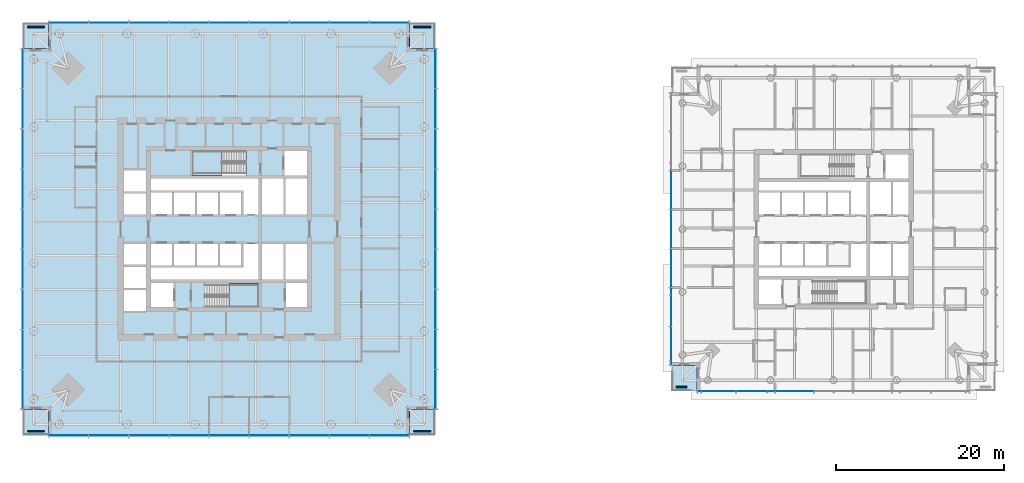
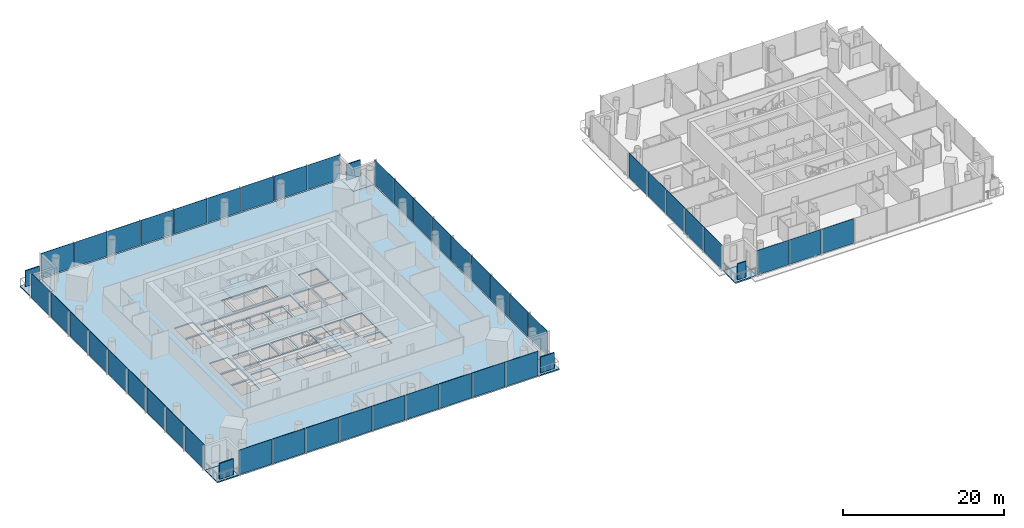
# One storey, part 7 of 21: 49 plates, 8 slabs, 8 elements without a shape of their own.
"""IFC4 building model written with IfcOpenShell, lengths in metres."""

from ifc_helpers import new_model, si_unit, direction, frame, origin, origin_2d, place, context, subcontext, project, spatial, polyline, rectangle, outline, extrude, material, layer, layer_set, type_object, element, aggregate, save


model = new_model("IFC4")

# Units and contexts
model_context = context("Model", 3, precision=1e-05, world=origin(), true_north=direction((0.0, 1.0)))
body_context = subcontext(model_context, "Body", "Model", "MODEL_VIEW")
ifc_project = project(units=[si_unit("LENGTHUNIT", "METRE"), si_unit("AREAUNIT", "SQUARE_METRE"), si_unit("VOLUMEUNIT", "CUBIC_METRE"), si_unit("PLANEANGLEUNIT", "RADIAN"), si_unit("MASSUNIT", "GRAM", prefix="KILO")], contexts=[model_context])

# Site, building, storey
site_placement = place(None, origin())
site = spatial("IfcSite", under=ifc_project, at=site_placement, CompositionType="ELEMENT")
building_placement = place(site_placement, origin())
building = spatial("IfcBuilding", under=site, at=building_placement, Name="Ostroluk Exchange", CompositionType="ELEMENT")
storey_placement = place(building_placement, frame((0.0, 0.0, 43.800048828125)))
storey = spatial("IfcBuildingStorey", under=building, at=storey_placement, Name="L10", CompositionType="ELEMENT", Elevation=43.800048828125)

# Curtain wall, plates
ifc_material_1 = material(Name="Laminated clear glass", Category="glass")
curtain_wall_type_1 = type_object("IfcCurtainWallType", Name="Hotel guest floor facade", PredefinedType="USERDEFINED", material=ifc_material_1)
curtain_wall_1_placement = place(storey_placement, origin())
curtain_wall_1 = element("IfcCurtainWall", 1, at=curtain_wall_1_placement, inside=storey, type_object=curtain_wall_type_1, Name="Hotel tower south facade L10", ObjectType="UNITISED CURTAIN WALL", PredefinedType="USERDEFINED")
ifc_material_2 = material(Name="Laminated clear glass", Category="glass")
ifc_layer_1 = layer(ifc_material_2, 0.0400390625)
ifc_layer_set_1 = layer_set([ifc_layer_1], Name="Acoustic laminated glazing 40")
plate_type_1 = type_object("IfcPlateType", Name="Acoustic laminated glazing 40", PredefinedType="CURTAIN_PANEL", material=ifc_layer_set_1)
plate_1_placement = place(storey_placement, frame((103.09130859375, 26.675048828125, 0.080078125), z_axis=(0.0, 0.0, 1.0), x_axis=(1.0, 0.0, 0.0)))
plate_1 = element("IfcPlate", 2, at=plate_1_placement, type_object=plate_type_1, Name="CW-H1 panel 1.1", PredefinedType="CURTAIN_PANEL", context=body_context, shape_type="SweptSolid", body=[
    extrude(rectangle(XDim=4.52294921875, YDim=0.0400390625, at=origin_2d()), origin(), (0.0, 0.0, 1.0), 3.719970703125),
])
plate_2_placement = place(storey_placement, frame((107.71435546875, 26.675048828125, 0.080078125), z_axis=(0.0, 0.0, 1.0), x_axis=(1.0, 0.0, 0.0)))
plate_2 = element("IfcPlate", 3, at=plate_2_placement, type_object=plate_type_1, Name="CW-H1 panel 2.1", PredefinedType="CURTAIN_PANEL", context=body_context, shape_type="SweptSolid", body=[
    extrude(rectangle(XDim=4.562744140625, YDim=0.0400390625, at=origin_2d()), origin(), (0.0, 0.0, 1.0), 3.719970703125),
])
plate_3_placement = place(storey_placement, frame((112.357177734375, 26.675048828125, 0.080078125), z_axis=(0.0, 0.0, 1.0), x_axis=(1.0, 0.0, 0.0)))
plate_3 = element("IfcPlate", 4, at=plate_3_placement, type_object=plate_type_1, Name="CW-H1 panel 3.1", PredefinedType="CURTAIN_PANEL", context=body_context, shape_type="SweptSolid", body=[
    extrude(rectangle(XDim=4.562744140625, YDim=0.0400390625, at=origin_2d()), origin(), (0.0, 0.0, 1.0), 3.719970703125),
])
aggregate(curtain_wall_1, [plate_1, plate_2, plate_3])

curtain_wall_2_placement = place(storey_placement, origin())
curtain_wall_2 = element("IfcCurtainWall", 5, at=curtain_wall_2_placement, inside=storey, type_object=curtain_wall_type_1, Name="Hotel tower west facade L10", ObjectType="UNITISED CURTAIN WALL", PredefinedType="USERDEFINED")
plate_4_placement = place(storey_placement, frame((97.675048828125, 50.642822265625, 0.080078125), z_axis=(0.0, 0.0, 1.0), x_axis=(0.0, -1.0, 0.0)))
plate_4 = element("IfcPlate", 6, at=plate_4_placement, type_object=plate_type_1, Name="CW-H1 panel 3.1", PredefinedType="CURTAIN_PANEL", context=body_context, shape_type="SweptSolid", body=[
    extrude(rectangle(XDim=4.562744140625, YDim=0.0400390625, at=origin_2d()), origin(), (0.0, 0.0, 1.0), 3.719970703125),
])
plate_5_placement = place(storey_placement, frame((97.675048828125, 46.0, 0.080078125), z_axis=(0.0, 0.0, 1.0), x_axis=(0.0, -1.0, 0.0)))
plate_5 = element("IfcPlate", 7, at=plate_5_placement, type_object=plate_type_1, Name="CW-H1 panel 4.1", PredefinedType="CURTAIN_PANEL", context=body_context, shape_type="SweptSolid", body=[
    extrude(rectangle(XDim=4.562744140625, YDim=0.0400390625, at=origin_2d()), origin(), (0.0, 0.0, 1.0), 3.719970703125),
])
plate_6_placement = place(storey_placement, frame((97.675048828125, 41.357177734375, 0.080078125), z_axis=(0.0, 0.0, 1.0), x_axis=(0.0, -1.0, 0.0)))
plate_6 = element("IfcPlate", 8, at=plate_6_placement, type_object=plate_type_1, Name="CW-H1 panel 5.1", PredefinedType="CURTAIN_PANEL", context=body_context, shape_type="SweptSolid", body=[
    extrude(rectangle(XDim=4.562744140625, YDim=0.0400390625, at=origin_2d()), origin(), (0.0, 0.0, 1.0), 3.719970703125),
])
plate_7_placement = place(storey_placement, frame((97.675048828125, 36.71435546875, 0.080078125), z_axis=(0.0, 0.0, 1.0), x_axis=(0.0, -1.0, 0.0)))
plate_7 = element("IfcPlate", 9, at=plate_7_placement, type_object=plate_type_1, Name="CW-H1 panel 6.1", PredefinedType="CURTAIN_PANEL", context=body_context, shape_type="SweptSolid", body=[
    extrude(rectangle(XDim=4.562744140625, YDim=0.0400390625, at=origin_2d()), origin(), (0.0, 0.0, 1.0), 3.719970703125),
])
plate_8_placement = place(storey_placement, frame((97.675048828125, 32.09130859375, 0.080078125), z_axis=(0.0, 0.0, 1.0), x_axis=(0.0, -1.0, 0.0)))
plate_8 = element("IfcPlate", 10, at=plate_8_placement, type_object=plate_type_1, Name="CW-H1 panel 7.1", PredefinedType="CURTAIN_PANEL", context=body_context, shape_type="SweptSolid", body=[
    extrude(rectangle(XDim=4.52294921875, YDim=0.0400390625, at=origin_2d()), origin(), (0.0, 0.0, 1.0), 3.719970703125),
])
aggregate(curtain_wall_2, [plate_4, plate_5, plate_6, plate_7, plate_8])

# Slabs
ifc_material_3 = material(Name="Concrete C35/45", Category="concrete")
ifc_layer_2 = layer(ifc_material_3, 0.179931640625)
ifc_layer_set_2 = layer_set([ifc_layer_2], Name="Balcony slab 180")
slab_type_1 = type_object("IfcSlabType", Name="Balcony slab 180", PredefinedType="USERDEFINED", material=ifc_layer_set_2)
slab_1_placement = place(storey_placement, frame((0.0, 0.0, -0.179931640625)))
element("IfcSlab", 11, at=slab_1_placement, inside=storey, type_object=slab_type_1, Name="Office tower SE corner balcony L10", ObjectType="BALCONY", PredefinedType="USERDEFINED", context=body_context, shape_type="SweptSolid", body=[
    extrude(outline(polyline([(66.5, 21.5), (69.5, 21.5), (69.5, 24.5), (66.5, 24.5), (66.5, 21.5)])), origin(), (0.0, 0.0, 1.0), 0.179931640625),
])
slab_2_placement = place(storey_placement, frame((0.0, 0.0, -0.179931640625)))
element("IfcSlab", 12, at=slab_2_placement, inside=storey, type_object=slab_type_1, Name="Office tower NE corner balcony L10", ObjectType="BALCONY", PredefinedType="USERDEFINED", context=body_context, shape_type="SweptSolid", body=[
    extrude(outline(polyline([(66.5, 67.5), (69.5, 67.5), (69.5, 70.5), (66.5, 70.5), (66.5, 67.5)])), origin(), (0.0, 0.0, 1.0), 0.179931640625),
])
slab_3_placement = place(storey_placement, frame((0.0, 0.0, -0.179931640625)))
element("IfcSlab", 13, at=slab_3_placement, inside=storey, type_object=slab_type_1, Name="Office tower NW corner balcony L10", ObjectType="BALCONY", PredefinedType="USERDEFINED", context=body_context, shape_type="SweptSolid", body=[
    extrude(outline(polyline([(20.5, 67.5), (23.5, 67.5), (23.5, 70.5), (20.5, 70.5), (20.5, 67.5)])), origin(), (0.0, 0.0, 1.0), 0.179931640625),
])
slab_4_placement = place(storey_placement, frame((0.0, 0.0, -0.179931640625)))
element("IfcSlab", 14, at=slab_4_placement, inside=storey, type_object=slab_type_1, Name="Office tower SW corner balcony L10", ObjectType="BALCONY", PredefinedType="USERDEFINED", context=body_context, shape_type="SweptSolid", body=[
    extrude(outline(polyline([(20.5, 21.5), (23.5, 21.5), (23.5, 24.5), (20.5, 24.5), (20.5, 21.5)])), origin(), (0.0, 0.0, 1.0), 0.179931640625),
])
ifc_material_4 = material(Name="Concrete C35/45", Category="concrete")
ifc_layer_3 = layer(ifc_material_4, 0.199951171875)
ifc_layer_set_3 = layer_set([ifc_layer_3], Name="Balcony slab 200")
slab_type_2 = type_object("IfcSlabType", Name="Balcony slab 200", PredefinedType="USERDEFINED", material=ifc_layer_set_3)
slab_5_placement = place(storey_placement, frame((0.0, 0.0, -0.199951171875)))
element("IfcSlab", 15, at=slab_5_placement, inside=storey, type_object=slab_type_2, Name="Hotel tower SW corner balcony L10", ObjectType="BALCONY", PredefinedType="USERDEFINED", context=body_context, shape_type="SweptSolid", body=[
    extrude(outline(polyline([(97.75, 26.75), (100.75, 26.75), (100.75, 29.75), (97.75, 29.75), (97.75, 26.75)])), origin(), (0.0, 0.0, 1.0), 0.199951171875),
])

# Plates
ifc_material_5 = material(Name="Steel S355 trellis with planting", Category="steel")
ifc_layer_4 = layer(ifc_material_5, 0.14990234375)
ifc_layer_set_4 = layer_set([ifc_layer_4], Name="Planted screen 150")
plate_type_2 = type_object("IfcPlateType", Name="Planted screen 150", PredefinedType="USERDEFINED", material=ifc_layer_set_4)
for number, where, z_axis, x_axis, name in (
    (16, (68.0, 21.925048828125, 0.0), (0.0, 0.0, 1.0), (1.0, 0.0, 0.0), "Office tower SE planted screen L10"),
    (17, (68.0, 70.074951171875, 0.0), (0.0, 0.0, 1.0), (1.0, 0.0, 0.0), "Office tower NE planted screen L10"),
    (18, (22.0, 70.074951171875, 0.0), (0.0, 0.0, 1.0), (1.0, 0.0, 0.0), "Office tower NW planted screen L10"),
    (19, (22.0, 21.925048828125, 0.0), (0.0, 0.0, 1.0), (1.0, 0.0, 0.0), "Office tower SW planted screen L10"),
):
    element("IfcPlate", number, at=place(storey_placement, frame(where, z_axis=z_axis, x_axis=x_axis)), inside=storey, type_object=plate_type_2, Name=name, ObjectType="PLANTED SCREEN", PredefinedType="USERDEFINED", context=body_context, shape_type="SweptSolid", body=[
        extrude(rectangle(XDim=2.0, YDim=0.14990234375, at=origin_2d()), origin(), (0.0, 0.0, 1.0), 2.39990234375),
    ])
plate_9_placement = place(storey_placement, frame((98.875, 27.175048828125, 0.0), z_axis=(0.0, 0.0, 1.0), x_axis=(1.0, 0.0, 0.0)))
element("IfcPlate", 20, at=plate_9_placement, inside=storey, type_object=plate_type_2, Name="Hotel tower SW planted screen L10", ObjectType="PLANTED SCREEN", PredefinedType="USERDEFINED", context=body_context, shape_type="SweptSolid", body=[
    extrude(rectangle(XDim=1.25, YDim=0.14990234375, at=origin_2d()), origin(), (0.0, 0.0, 1.0), 2.39990234375),
])

# Stair, slab
ifc_material_6 = material(Name="Concrete C30/37", Category="concrete")
stair_type = type_object("IfcStairType", Name="Exit stair half turn 3800", PredefinedType="HALF_TURN_STAIR", material=ifc_material_6)
stair_1_placement = place(storey_placement, origin())
stair_1 = element("IfcStair", 21, at=stair_1_placement, inside=storey, type_object=stair_type, Name="Stair T1-S1 L10", PredefinedType="HALF_TURN_STAIR")
ifc_material_7 = material(Name="Concrete C30/37", Category="concrete")
ifc_layer_5 = layer(ifc_material_7, 0.199951171875)
ifc_layer_set_5 = layer_set([ifc_layer_5], Name="Stair landing 200")
slab_type_3 = type_object("IfcSlabType", Name="Stair landing 200", PredefinedType="LANDING", material=ifc_layer_set_5)
slab_6_placement = place(storey_placement, frame((0.0, 0.0, 1.699951171875)))
slab_6 = element("IfcSlab", 22, at=slab_6_placement, type_object=slab_type_3, Name="T1-S1 landing 1", PredefinedType="LANDING", context=body_context, shape_type="SweptSolid", body=[
    extrude(outline(polyline([(45.0, 36.699951171875), (45.0, 39.60009765625), (48.530029296875, 39.60009765625), (48.530029296875, 36.699951171875), (45.0, 36.699951171875)])), origin(), (0.0, 0.0, 1.0), 0.199951171875),
])
aggregate(stair_1, [slab_6])

stair_2_placement = place(storey_placement, origin())
stair_2 = element("IfcStair", 23, at=stair_2_placement, inside=storey, type_object=stair_type, Name="Stair T1-S2 L10", PredefinedType="HALF_TURN_STAIR")
slab_7_placement = place(storey_placement, frame((0.0, 0.0, 1.699951171875)))
slab_7 = element("IfcSlab", 24, at=slab_7_placement, type_object=slab_type_3, Name="T1-S2 landing 1", PredefinedType="LANDING", context=body_context, shape_type="SweptSolid", body=[
    extrude(outline(polyline([(44.1298828125, 52.39990234375), (44.1298828125, 55.300048828125), (40.60009765625, 55.300048828125), (40.60009765625, 52.39990234375), (44.1298828125, 52.39990234375)])), origin(), (0.0, 0.0, 1.0), 0.199951171875),
])
aggregate(stair_2, [slab_7])

# Slab
ifc_material_8 = material(Name="Concrete C35/45", Category="concrete")
ifc_layer_6 = layer(ifc_material_8, 0.179931640625)
ifc_layer_set_6 = layer_set([ifc_layer_6], Name="Tower floor slab 180 composite")
slab_type_4 = type_object("IfcSlabType", Name="Tower floor slab 180 composite", PredefinedType="FLOOR", material=ifc_layer_set_6)
slab_8_placement = place(storey_placement, frame((0.0, 0.0, -0.179931640625)))
element("IfcSlab", 25, at=slab_8_placement, inside=storey, type_object=slab_type_4, Name="Office tower floor slab L10", PredefinedType="FLOOR", context=body_context, shape_type="SweptSolid", body=[
    extrude(outline(polyline([(23.5, 21.5), (66.5, 21.5), (66.5, 24.5), (69.5, 24.5), (69.5, 67.5), (66.5, 67.5), (66.5, 70.5), (23.5, 70.5), (23.5, 67.5), (20.5, 67.5), (20.5, 24.5), (23.5, 24.5), (23.5, 21.5)]), holes=[polyline([(35.699951171875, 36.699951171875), (38.39990234375, 36.699951171875), (38.39990234375, 39.60009765625), (35.699951171875, 39.60009765625), (35.699951171875, 36.699951171875)]), polyline([(42.110107421875, 36.699951171875), (48.530029296875, 36.699951171875), (48.530029296875, 39.60009765625), (42.110107421875, 39.60009765625), (42.110107421875, 36.699951171875)]), polyline([(51.800048828125, 36.699951171875), (54.300048828125, 36.699951171875), (54.300048828125, 39.60009765625), (51.800048828125, 39.60009765625), (51.800048828125, 36.699951171875)]), polyline([(40.60009765625, 52.39990234375), (47.02001953125, 52.39990234375), (47.02001953125, 55.300048828125), (40.60009765625, 55.300048828125), (40.60009765625, 52.39990234375)]), polyline([(51.60009765625, 52.39990234375), (54.300048828125, 52.39990234375), (54.300048828125, 55.300048828125), (51.60009765625, 55.300048828125), (51.60009765625, 52.39990234375)]), polyline([(35.699951171875, 47.75), (38.199951171875, 47.75), (38.199951171875, 50.35009765625), (35.699951171875, 50.35009765625), (35.699951171875, 47.75)]), polyline([(38.449951171875, 47.75), (40.949951171875, 47.75), (40.949951171875, 50.35009765625), (38.449951171875, 50.35009765625), (38.449951171875, 47.75)]), polyline([(41.199951171875, 47.75), (43.699951171875, 47.75), (43.699951171875, 50.35009765625), (41.199951171875, 50.35009765625), (41.199951171875, 47.75)]), polyline([(43.949951171875, 47.75), (46.449951171875, 47.75), (46.449951171875, 50.35009765625), (43.949951171875, 50.35009765625), (43.949951171875, 47.75)]), polyline([(35.699951171875, 41.64990234375), (38.199951171875, 41.64990234375), (38.199951171875, 44.25), (35.699951171875, 44.25), (35.699951171875, 41.64990234375)]), polyline([(38.449951171875, 41.64990234375), (40.949951171875, 41.64990234375), (40.949951171875, 44.25), (38.449951171875, 44.25), (38.449951171875, 41.64990234375)]), polyline([(41.199951171875, 41.64990234375), (43.699951171875, 41.64990234375), (43.699951171875, 44.25), (41.199951171875, 44.25), (41.199951171875, 41.64990234375)]), polyline([(43.949951171875, 41.64990234375), (46.449951171875, 41.64990234375), (46.449951171875, 44.25), (43.949951171875, 44.25), (43.949951171875, 41.64990234375)]), polyline([(48.929931640625, 47.75), (51.489990234375, 47.75), (51.489990234375, 52.0), (48.929931640625, 52.0), (48.929931640625, 47.75)]), polyline([(51.739990234375, 47.75), (54.300048828125, 47.75), (54.300048828125, 52.0), (51.739990234375, 52.0), (51.739990234375, 47.75)]), polyline([(48.929931640625, 40.0), (51.489990234375, 40.0), (51.489990234375, 44.25), (48.929931640625, 44.25), (48.929931640625, 40.0)]), polyline([(51.739990234375, 40.0), (54.300048828125, 40.0), (54.300048828125, 44.25), (51.739990234375, 44.25), (51.739990234375, 40.0)]), polyline([(48.530029296875, 52.0), (48.530029296875, 47.75), (46.699951171875, 47.75), (46.699951171875, 50.60009765625), (35.699951171875, 50.60009765625), (35.699951171875, 52.0), (48.530029296875, 52.0)]), polyline([(35.699951171875, 40.0), (35.699951171875, 41.39990234375), (46.699951171875, 41.39990234375), (46.699951171875, 44.25), (48.530029296875, 44.25), (48.530029296875, 40.0), (35.699951171875, 40.0)]), polyline([(32.5, 36.25), (35.10009765625, 36.25), (35.10009765625, 38.75), (32.5, 38.75), (32.5, 36.25)]), polyline([(32.5, 39.0), (35.10009765625, 39.0), (35.10009765625, 41.5), (32.5, 41.5), (32.5, 39.0)]), polyline([(32.5, 41.75), (35.10009765625, 41.75), (35.10009765625, 44.25), (32.5, 44.25), (32.5, 41.75)]), polyline([(32.5, 47.75), (35.10009765625, 47.75), (35.10009765625, 50.25), (32.5, 50.25), (32.5, 47.75)]), polyline([(32.5, 50.5), (35.10009765625, 50.5), (35.10009765625, 53.0), (32.5, 53.0), (32.5, 50.5)])]), origin(), (0.0, 0.0, 1.0), 0.179931640625),
])

# Curtain wall, plates
ifc_material_9 = material(Name="Laminated clear glass", Category="glass")
curtain_wall_type_2 = type_object("IfcCurtainWallType", Name="Office tower facade", PredefinedType="USERDEFINED", material=ifc_material_9)
curtain_wall_3_placement = place(storey_placement, origin())
curtain_wall_3 = element("IfcCurtainWall", 26, at=curtain_wall_3_placement, inside=storey, type_object=curtain_wall_type_2, Name="Office tower south facade L10", ObjectType="UNITISED CURTAIN WALL", PredefinedType="USERDEFINED")
ifc_material_10 = material(Name="Laminated clear glass", Category="glass")
ifc_layer_7 = layer(ifc_material_10, 0.0439453125)
ifc_layer_set_7 = layer_set([ifc_layer_7], Name="Triple laminated clear glazing 44")
plate_type_3 = type_object("IfcPlateType", Name="Triple laminated clear glazing 44", PredefinedType="CURTAIN_PANEL", material=ifc_layer_set_7)
plate_10_placement = place(storey_placement, frame((25.908935546875, 21.425048828125, 0.080078125), z_axis=(0.0, 0.0, 1.0), x_axis=(1.0, 0.0, 0.0)))
plate_10 = element("IfcPlate", 27, at=plate_10_placement, type_object=plate_type_3, Name="CW-O1 panel 1.1", PredefinedType="CURTAIN_PANEL", context=body_context, shape_type="SweptSolid", body=[
    extrude(rectangle(XDim=4.65771484375, YDim=0.0439453125, at=origin_2d()), origin(), (0.0, 0.0, 1.0), 3.719970703125),
])
plate_11_placement = place(storey_placement, frame((30.666748046875, 21.425048828125, 0.080078125), z_axis=(0.0, 0.0, 1.0), x_axis=(1.0, 0.0, 0.0)))
plate_11 = element("IfcPlate", 28, at=plate_11_placement, type_object=plate_type_3, Name="CW-O1 panel 2.1", PredefinedType="CURTAIN_PANEL", context=body_context, shape_type="SweptSolid", body=[
    extrude(rectangle(XDim=4.69775390625, YDim=0.0439453125, at=origin_2d()), origin(), (0.0, 0.0, 1.0), 3.719970703125),
])
plate_12_placement = place(storey_placement, frame((35.4443359375, 21.425048828125, 0.080078125), z_axis=(0.0, 0.0, 1.0), x_axis=(1.0, 0.0, 0.0)))
plate_12 = element("IfcPlate", 29, at=plate_12_placement, type_object=plate_type_3, Name="CW-O1 panel 3.1", PredefinedType="CURTAIN_PANEL", context=body_context, shape_type="SweptSolid", body=[
    extrude(rectangle(XDim=4.69775390625, YDim=0.0439453125, at=origin_2d()), origin(), (0.0, 0.0, 1.0), 3.719970703125),
])
plate_13_placement = place(storey_placement, frame((40.22216796875, 21.425048828125, 0.080078125), z_axis=(0.0, 0.0, 1.0), x_axis=(1.0, 0.0, 0.0)))
plate_13 = element("IfcPlate", 30, at=plate_13_placement, type_object=plate_type_3, Name="CW-O1 panel 4.1", PredefinedType="CURTAIN_PANEL", context=body_context, shape_type="SweptSolid", body=[
    extrude(rectangle(XDim=4.69775390625, YDim=0.0439453125, at=origin_2d()), origin(), (0.0, 0.0, 1.0), 3.719970703125),
])
plate_14_placement = place(storey_placement, frame((45.0, 21.425048828125, 0.080078125), z_axis=(0.0, 0.0, 1.0), x_axis=(1.0, 0.0, 0.0)))
plate_14 = element("IfcPlate", 31, at=plate_14_placement, type_object=plate_type_3, Name="CW-O1 panel 5.1", PredefinedType="CURTAIN_PANEL", context=body_context, shape_type="SweptSolid", body=[
    extrude(rectangle(XDim=4.69775390625, YDim=0.0439453125, at=origin_2d()), origin(), (0.0, 0.0, 1.0), 3.719970703125),
])
plate_15_placement = place(storey_placement, frame((49.77783203125, 21.425048828125, 0.080078125), z_axis=(0.0, 0.0, 1.0), x_axis=(1.0, 0.0, 0.0)))
plate_15 = element("IfcPlate", 32, at=plate_15_placement, type_object=plate_type_3, Name="CW-O1 panel 6.1", PredefinedType="CURTAIN_PANEL", context=body_context, shape_type="SweptSolid", body=[
    extrude(rectangle(XDim=4.69775390625, YDim=0.0439453125, at=origin_2d()), origin(), (0.0, 0.0, 1.0), 3.719970703125),
])
plate_16_placement = place(storey_placement, frame((54.5556640625, 21.425048828125, 0.080078125), z_axis=(0.0, 0.0, 1.0), x_axis=(1.0, 0.0, 0.0)))
plate_16 = element("IfcPlate", 33, at=plate_16_placement, type_object=plate_type_3, Name="CW-O1 panel 7.1", PredefinedType="CURTAIN_PANEL", context=body_context, shape_type="SweptSolid", body=[
    extrude(rectangle(XDim=4.69775390625, YDim=0.0439453125, at=origin_2d()), origin(), (0.0, 0.0, 1.0), 3.719970703125),
])
plate_17_placement = place(storey_placement, frame((59.333251953125, 21.425048828125, 0.080078125), z_axis=(0.0, 0.0, 1.0), x_axis=(1.0, 0.0, 0.0)))
plate_17 = element("IfcPlate", 34, at=plate_17_placement, type_object=plate_type_3, Name="CW-O1 panel 8.1", PredefinedType="CURTAIN_PANEL", context=body_context, shape_type="SweptSolid", body=[
    extrude(rectangle(XDim=4.69775390625, YDim=0.0439453125, at=origin_2d()), origin(), (0.0, 0.0, 1.0), 3.719970703125),
])
plate_18_placement = place(storey_placement, frame((64.091064453125, 21.425048828125, 0.080078125), z_axis=(0.0, 0.0, 1.0), x_axis=(1.0, 0.0, 0.0)))
plate_18 = element("IfcPlate", 35, at=plate_18_placement, type_object=plate_type_3, Name="CW-O1 panel 9.1", PredefinedType="CURTAIN_PANEL", context=body_context, shape_type="SweptSolid", body=[
    extrude(rectangle(XDim=4.65771484375, YDim=0.0439453125, at=origin_2d()), origin(), (0.0, 0.0, 1.0), 3.719970703125),
])
aggregate(curtain_wall_3, [plate_10, plate_11, plate_12, plate_13, plate_14, plate_15, plate_16, plate_17, plate_18])

curtain_wall_4_placement = place(storey_placement, origin())
curtain_wall_4 = element("IfcCurtainWall", 36, at=curtain_wall_4_placement, inside=storey, type_object=curtain_wall_type_2, Name="Office tower east facade L10", ObjectType="UNITISED CURTAIN WALL", PredefinedType="USERDEFINED")
plate_19_placement = place(storey_placement, frame((69.574951171875, 26.908935546875, 0.080078125), z_axis=(0.0, 0.0, 1.0), x_axis=(0.0, 1.0, 0.0)))
plate_19 = element("IfcPlate", 37, at=plate_19_placement, type_object=plate_type_3, Name="CW-O1 panel 1.1", PredefinedType="CURTAIN_PANEL", context=body_context, shape_type="SweptSolid", body=[
    extrude(rectangle(XDim=4.65771484375, YDim=0.0439453125, at=origin_2d()), origin(), (0.0, 0.0, 1.0), 3.719970703125),
])
plate_20_placement = place(storey_placement, frame((69.574951171875, 31.666748046875, 0.080078125), z_axis=(0.0, 0.0, 1.0), x_axis=(0.0, 1.0, 0.0)))
plate_20 = element("IfcPlate", 38, at=plate_20_placement, type_object=plate_type_3, Name="CW-O1 panel 2.1", PredefinedType="CURTAIN_PANEL", context=body_context, shape_type="SweptSolid", body=[
    extrude(rectangle(XDim=4.69775390625, YDim=0.0439453125, at=origin_2d()), origin(), (0.0, 0.0, 1.0), 3.719970703125),
])
plate_21_placement = place(storey_placement, frame((69.574951171875, 36.4443359375, 0.080078125), z_axis=(0.0, 0.0, 1.0), x_axis=(0.0, 1.0, 0.0)))
plate_21 = element("IfcPlate", 39, at=plate_21_placement, type_object=plate_type_3, Name="CW-O1 panel 3.1", PredefinedType="CURTAIN_PANEL", context=body_context, shape_type="SweptSolid", body=[
    extrude(rectangle(XDim=4.69775390625, YDim=0.0439453125, at=origin_2d()), origin(), (0.0, 0.0, 1.0), 3.719970703125),
])
plate_22_placement = place(storey_placement, frame((69.574951171875, 41.22216796875, 0.080078125), z_axis=(0.0, 0.0, 1.0), x_axis=(0.0, 1.0, 0.0)))
plate_22 = element("IfcPlate", 40, at=plate_22_placement, type_object=plate_type_3, Name="CW-O1 panel 4.1", PredefinedType="CURTAIN_PANEL", context=body_context, shape_type="SweptSolid", body=[
    extrude(rectangle(XDim=4.69775390625, YDim=0.0439453125, at=origin_2d()), origin(), (0.0, 0.0, 1.0), 3.719970703125),
])
plate_23_placement = place(storey_placement, frame((69.574951171875, 46.0, 0.080078125), z_axis=(0.0, 0.0, 1.0), x_axis=(0.0, 1.0, 0.0)))
plate_23 = element("IfcPlate", 41, at=plate_23_placement, type_object=plate_type_3, Name="CW-O1 panel 5.1", PredefinedType="CURTAIN_PANEL", context=body_context, shape_type="SweptSolid", body=[
    extrude(rectangle(XDim=4.69775390625, YDim=0.0439453125, at=origin_2d()), origin(), (0.0, 0.0, 1.0), 3.719970703125),
])
plate_24_placement = place(storey_placement, frame((69.574951171875, 50.77783203125, 0.080078125), z_axis=(0.0, 0.0, 1.0), x_axis=(0.0, 1.0, 0.0)))
plate_24 = element("IfcPlate", 42, at=plate_24_placement, type_object=plate_type_3, Name="CW-O1 panel 6.1", PredefinedType="CURTAIN_PANEL", context=body_context, shape_type="SweptSolid", body=[
    extrude(rectangle(XDim=4.69775390625, YDim=0.0439453125, at=origin_2d()), origin(), (0.0, 0.0, 1.0), 3.719970703125),
])
plate_25_placement = place(storey_placement, frame((69.574951171875, 55.5556640625, 0.080078125), z_axis=(0.0, 0.0, 1.0), x_axis=(0.0, 1.0, 0.0)))
plate_25 = element("IfcPlate", 43, at=plate_25_placement, type_object=plate_type_3, Name="CW-O1 panel 7.1", PredefinedType="CURTAIN_PANEL", context=body_context, shape_type="SweptSolid", body=[
    extrude(rectangle(XDim=4.69775390625, YDim=0.0439453125, at=origin_2d()), origin(), (0.0, 0.0, 1.0), 3.719970703125),
])
plate_26_placement = place(storey_placement, frame((69.574951171875, 60.333251953125, 0.080078125), z_axis=(0.0, 0.0, 1.0), x_axis=(0.0, 1.0, 0.0)))
plate_26 = element("IfcPlate", 44, at=plate_26_placement, type_object=plate_type_3, Name="CW-O1 panel 8.1", PredefinedType="CURTAIN_PANEL", context=body_context, shape_type="SweptSolid", body=[
    extrude(rectangle(XDim=4.69775390625, YDim=0.0439453125, at=origin_2d()), origin(), (0.0, 0.0, 1.0), 3.719970703125),
])
plate_27_placement = place(storey_placement, frame((69.574951171875, 65.091064453125, 0.080078125), z_axis=(0.0, 0.0, 1.0), x_axis=(0.0, 1.0, 0.0)))
plate_27 = element("IfcPlate", 45, at=plate_27_placement, type_object=plate_type_3, Name="CW-O1 panel 9.1", PredefinedType="CURTAIN_PANEL", context=body_context, shape_type="SweptSolid", body=[
    extrude(rectangle(XDim=4.65771484375, YDim=0.0439453125, at=origin_2d()), origin(), (0.0, 0.0, 1.0), 3.719970703125),
])
aggregate(curtain_wall_4, [plate_19, plate_20, plate_21, plate_22, plate_23, plate_24, plate_25, plate_26, plate_27])

curtain_wall_5_placement = place(storey_placement, origin())
curtain_wall_5 = element("IfcCurtainWall", 46, at=curtain_wall_5_placement, inside=storey, type_object=curtain_wall_type_2, Name="Office tower north facade L10", ObjectType="UNITISED CURTAIN WALL", PredefinedType="USERDEFINED")
plate_28_placement = place(storey_placement, frame((64.091064453125, 70.574951171875, 0.080078125), z_axis=(0.0, 0.0, 1.0), x_axis=(-1.0, 0.0, 0.0)))
plate_28 = element("IfcPlate", 47, at=plate_28_placement, type_object=plate_type_3, Name="CW-O1 panel 1.1", PredefinedType="CURTAIN_PANEL", context=body_context, shape_type="SweptSolid", body=[
    extrude(rectangle(XDim=4.65771484375, YDim=0.0439453125, at=origin_2d()), origin(), (0.0, 0.0, 1.0), 3.719970703125),
])
plate_29_placement = place(storey_placement, frame((59.333251953125, 70.574951171875, 0.080078125), z_axis=(0.0, 0.0, 1.0), x_axis=(-1.0, 0.0, 0.0)))
plate_29 = element("IfcPlate", 48, at=plate_29_placement, type_object=plate_type_3, Name="CW-O1 panel 2.1", PredefinedType="CURTAIN_PANEL", context=body_context, shape_type="SweptSolid", body=[
    extrude(rectangle(XDim=4.69775390625, YDim=0.0439453125, at=origin_2d()), origin(), (0.0, 0.0, 1.0), 3.719970703125),
])
plate_30_placement = place(storey_placement, frame((54.5556640625, 70.574951171875, 0.080078125), z_axis=(0.0, 0.0, 1.0), x_axis=(-1.0, 0.0, 0.0)))
plate_30 = element("IfcPlate", 49, at=plate_30_placement, type_object=plate_type_3, Name="CW-O1 panel 3.1", PredefinedType="CURTAIN_PANEL", context=body_context, shape_type="SweptSolid", body=[
    extrude(rectangle(XDim=4.69775390625, YDim=0.0439453125, at=origin_2d()), origin(), (0.0, 0.0, 1.0), 3.719970703125),
])
plate_31_placement = place(storey_placement, frame((49.77783203125, 70.574951171875, 0.080078125), z_axis=(0.0, 0.0, 1.0), x_axis=(-1.0, 0.0, 0.0)))
plate_31 = element("IfcPlate", 50, at=plate_31_placement, type_object=plate_type_3, Name="CW-O1 panel 4.1", PredefinedType="CURTAIN_PANEL", context=body_context, shape_type="SweptSolid", body=[
    extrude(rectangle(XDim=4.69775390625, YDim=0.0439453125, at=origin_2d()), origin(), (0.0, 0.0, 1.0), 3.719970703125),
])
plate_32_placement = place(storey_placement, frame((45.0, 70.574951171875, 0.080078125), z_axis=(0.0, 0.0, 1.0), x_axis=(-1.0, 0.0, 0.0)))
plate_32 = element("IfcPlate", 51, at=plate_32_placement, type_object=plate_type_3, Name="CW-O1 panel 5.1", PredefinedType="CURTAIN_PANEL", context=body_context, shape_type="SweptSolid", body=[
    extrude(rectangle(XDim=4.69775390625, YDim=0.0439453125, at=origin_2d()), origin(), (0.0, 0.0, 1.0), 3.719970703125),
])
plate_33_placement = place(storey_placement, frame((40.22216796875, 70.574951171875, 0.080078125), z_axis=(0.0, 0.0, 1.0), x_axis=(-1.0, 0.0, 0.0)))
plate_33 = element("IfcPlate", 52, at=plate_33_placement, type_object=plate_type_3, Name="CW-O1 panel 6.1", PredefinedType="CURTAIN_PANEL", context=body_context, shape_type="SweptSolid", body=[
    extrude(rectangle(XDim=4.69775390625, YDim=0.0439453125, at=origin_2d()), origin(), (0.0, 0.0, 1.0), 3.719970703125),
])
plate_34_placement = place(storey_placement, frame((35.4443359375, 70.574951171875, 0.080078125), z_axis=(0.0, 0.0, 1.0), x_axis=(-1.0, 0.0, 0.0)))
plate_34 = element("IfcPlate", 53, at=plate_34_placement, type_object=plate_type_3, Name="CW-O1 panel 7.1", PredefinedType="CURTAIN_PANEL", context=body_context, shape_type="SweptSolid", body=[
    extrude(rectangle(XDim=4.69775390625, YDim=0.0439453125, at=origin_2d()), origin(), (0.0, 0.0, 1.0), 3.719970703125),
])
plate_35_placement = place(storey_placement, frame((30.666748046875, 70.574951171875, 0.080078125), z_axis=(0.0, 0.0, 1.0), x_axis=(-1.0, 0.0, 0.0)))
plate_35 = element("IfcPlate", 54, at=plate_35_placement, type_object=plate_type_3, Name="CW-O1 panel 8.1", PredefinedType="CURTAIN_PANEL", context=body_context, shape_type="SweptSolid", body=[
    extrude(rectangle(XDim=4.69775390625, YDim=0.0439453125, at=origin_2d()), origin(), (0.0, 0.0, 1.0), 3.719970703125),
])
plate_36_placement = place(storey_placement, frame((25.908935546875, 70.574951171875, 0.080078125), z_axis=(0.0, 0.0, 1.0), x_axis=(-1.0, 0.0, 0.0)))
plate_36 = element("IfcPlate", 55, at=plate_36_placement, type_object=plate_type_3, Name="CW-O1 panel 9.1", PredefinedType="CURTAIN_PANEL", context=body_context, shape_type="SweptSolid", body=[
    extrude(rectangle(XDim=4.65771484375, YDim=0.0439453125, at=origin_2d()), origin(), (0.0, 0.0, 1.0), 3.719970703125),
])
aggregate(curtain_wall_5, [plate_28, plate_29, plate_30, plate_31, plate_32, plate_33, plate_34, plate_35, plate_36])

curtain_wall_6_placement = place(storey_placement, origin())
curtain_wall_6 = element("IfcCurtainWall", 56, at=curtain_wall_6_placement, inside=storey, type_object=curtain_wall_type_2, Name="Office tower west facade L10", ObjectType="UNITISED CURTAIN WALL", PredefinedType="USERDEFINED")
plate_37_placement = place(storey_placement, frame((20.425048828125, 65.091064453125, 0.080078125), z_axis=(0.0, 0.0, 1.0), x_axis=(0.0, -1.0, 0.0)))
plate_37 = element("IfcPlate", 57, at=plate_37_placement, type_object=plate_type_3, Name="CW-O1 panel 1.1", PredefinedType="CURTAIN_PANEL", context=body_context, shape_type="SweptSolid", body=[
    extrude(rectangle(XDim=4.65771484375, YDim=0.0439453125, at=origin_2d()), origin(), (0.0, 0.0, 1.0), 3.719970703125),
])
plate_38_placement = place(storey_placement, frame((20.425048828125, 60.333251953125, 0.080078125), z_axis=(0.0, 0.0, 1.0), x_axis=(0.0, -1.0, 0.0)))
plate_38 = element("IfcPlate", 58, at=plate_38_placement, type_object=plate_type_3, Name="CW-O1 panel 2.1", PredefinedType="CURTAIN_PANEL", context=body_context, shape_type="SweptSolid", body=[
    extrude(rectangle(XDim=4.69775390625, YDim=0.0439453125, at=origin_2d()), origin(), (0.0, 0.0, 1.0), 3.719970703125),
])
plate_39_placement = place(storey_placement, frame((20.425048828125, 55.5556640625, 0.080078125), z_axis=(0.0, 0.0, 1.0), x_axis=(0.0, -1.0, 0.0)))
plate_39 = element("IfcPlate", 59, at=plate_39_placement, type_object=plate_type_3, Name="CW-O1 panel 3.1", PredefinedType="CURTAIN_PANEL", context=body_context, shape_type="SweptSolid", body=[
    extrude(rectangle(XDim=4.69775390625, YDim=0.0439453125, at=origin_2d()), origin(), (0.0, 0.0, 1.0), 3.719970703125),
])
plate_40_placement = place(storey_placement, frame((20.425048828125, 50.77783203125, 0.080078125), z_axis=(0.0, 0.0, 1.0), x_axis=(0.0, -1.0, 0.0)))
plate_40 = element("IfcPlate", 60, at=plate_40_placement, type_object=plate_type_3, Name="CW-O1 panel 4.1", PredefinedType="CURTAIN_PANEL", context=body_context, shape_type="SweptSolid", body=[
    extrude(rectangle(XDim=4.69775390625, YDim=0.0439453125, at=origin_2d()), origin(), (0.0, 0.0, 1.0), 3.719970703125),
])
plate_41_placement = place(storey_placement, frame((20.425048828125, 46.0, 0.080078125), z_axis=(0.0, 0.0, 1.0), x_axis=(0.0, -1.0, 0.0)))
plate_41 = element("IfcPlate", 61, at=plate_41_placement, type_object=plate_type_3, Name="CW-O1 panel 5.1", PredefinedType="CURTAIN_PANEL", context=body_context, shape_type="SweptSolid", body=[
    extrude(rectangle(XDim=4.69775390625, YDim=0.0439453125, at=origin_2d()), origin(), (0.0, 0.0, 1.0), 3.719970703125),
])
plate_42_placement = place(storey_placement, frame((20.425048828125, 41.22216796875, 0.080078125), z_axis=(0.0, 0.0, 1.0), x_axis=(0.0, -1.0, 0.0)))
plate_42 = element("IfcPlate", 62, at=plate_42_placement, type_object=plate_type_3, Name="CW-O1 panel 6.1", PredefinedType="CURTAIN_PANEL", context=body_context, shape_type="SweptSolid", body=[
    extrude(rectangle(XDim=4.69775390625, YDim=0.0439453125, at=origin_2d()), origin(), (0.0, 0.0, 1.0), 3.719970703125),
])
plate_43_placement = place(storey_placement, frame((20.425048828125, 36.4443359375, 0.080078125), z_axis=(0.0, 0.0, 1.0), x_axis=(0.0, -1.0, 0.0)))
plate_43 = element("IfcPlate", 63, at=plate_43_placement, type_object=plate_type_3, Name="CW-O1 panel 7.1", PredefinedType="CURTAIN_PANEL", context=body_context, shape_type="SweptSolid", body=[
    extrude(rectangle(XDim=4.69775390625, YDim=0.0439453125, at=origin_2d()), origin(), (0.0, 0.0, 1.0), 3.719970703125),
])
plate_44_placement = place(storey_placement, frame((20.425048828125, 31.666748046875, 0.080078125), z_axis=(0.0, 0.0, 1.0), x_axis=(0.0, -1.0, 0.0)))
plate_44 = element("IfcPlate", 64, at=plate_44_placement, type_object=plate_type_3, Name="CW-O1 panel 8.1", PredefinedType="CURTAIN_PANEL", context=body_context, shape_type="SweptSolid", body=[
    extrude(rectangle(XDim=4.69775390625, YDim=0.0439453125, at=origin_2d()), origin(), (0.0, 0.0, 1.0), 3.719970703125),
])
plate_45_placement = place(storey_placement, frame((20.425048828125, 26.908935546875, 0.080078125), z_axis=(0.0, 0.0, 1.0), x_axis=(0.0, -1.0, 0.0)))
plate_45 = element("IfcPlate", 65, at=plate_45_placement, type_object=plate_type_3, Name="CW-O1 panel 9.1", PredefinedType="CURTAIN_PANEL", context=body_context, shape_type="SweptSolid", body=[
    extrude(rectangle(XDim=4.65771484375, YDim=0.0439453125, at=origin_2d()), origin(), (0.0, 0.0, 1.0), 3.719970703125),
])
aggregate(curtain_wall_6, [plate_37, plate_38, plate_39, plate_40, plate_41, plate_42, plate_43, plate_44, plate_45])

save(model, "model.ifc")
